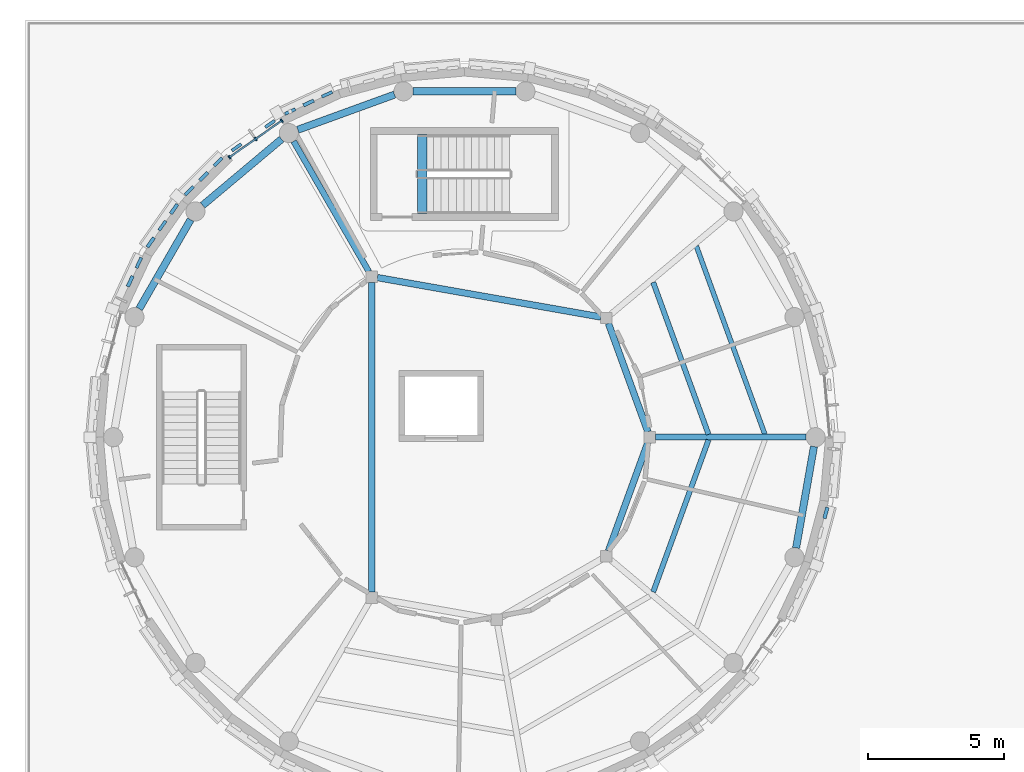
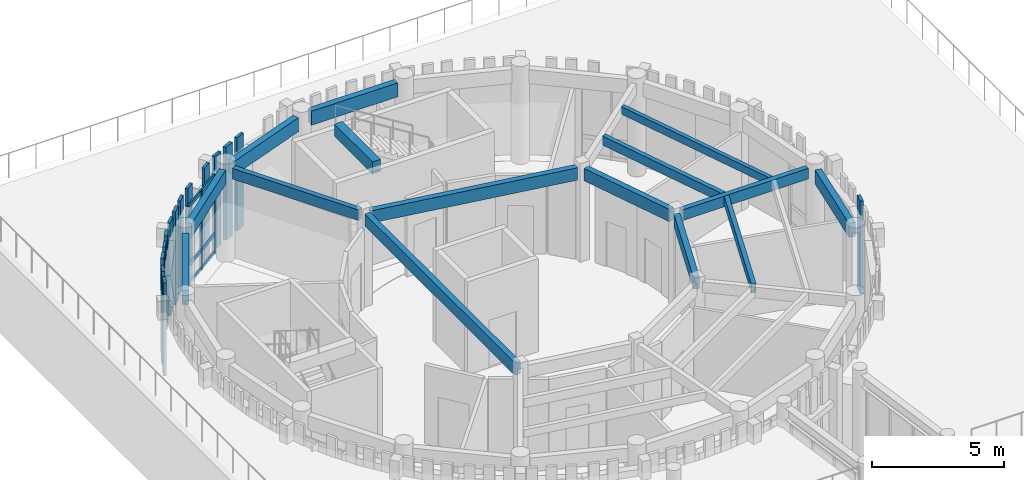
# One storey, part 22 of 94: 20 members, 15 beams, 1 element without a shape of its own.
"""IFC4 building model written with IfcOpenShell, lengths in metres."""

from ifc_helpers import new_model, si_unit, direction, frame, origin, origin_2d, place, context, subcontext, project, spatial, rectangle, extrude, material, layer, layer_set, material_profile, profile_set, type_object, element, aggregate, save


model = new_model("IFC4")

# Units and contexts
model_context = context("Model", 3, precision=1e-05, world=origin(), true_north=direction((0.0, 1.0)))
body_context = subcontext(model_context, "Body", "Model", "MODEL_VIEW")
ifc_project = project(units=[si_unit("LENGTHUNIT", "METRE"), si_unit("AREAUNIT", "SQUARE_METRE"), si_unit("VOLUMEUNIT", "CUBIC_METRE"), si_unit("PLANEANGLEUNIT", "RADIAN"), si_unit("MASSUNIT", "GRAM", prefix="KILO")], contexts=[model_context])

# Site, building, storey
site_placement = place(None, origin())
site = spatial("IfcSite", under=ifc_project, at=site_placement, CompositionType="ELEMENT")
building_placement = place(site_placement, origin())
building = spatial("IfcBuilding", under=site, at=building_placement, Name="Aldenvaro Health Centre", CompositionType="ELEMENT")
storey_placement = place(building_placement, origin())
storey = spatial("IfcBuildingStorey", under=building, at=storey_placement, Name="L00", CompositionType="ELEMENT", Elevation=0.0)

# Beams
ifc_material_1 = material(Name="Glulam GL28h", Category="wood")
ifc_material_profile_1 = material_profile(ifc_material_1, rectangle(XDim=0.175048828125, YDim=0.35009765625, at=origin_2d()), Name="GL 175x350", Category="wood")
ifc_profile_set_1 = profile_set([ifc_material_profile_1], Name="Glulam GL28h")
beam_type_1 = type_object("IfcBeamType", Name="BM-GL-350", PredefinedType="JOIST", material=ifc_profile_set_1)
beam_1_placement = place(storey_placement, frame((29.51904296875, 99.60107421875, 4.1298828125), z_axis=(-0.341985813082, 0.939705115263, 0.0), x_axis=(-0.939705115263, -0.341985813082, 0.0)))
element("IfcBeam", 1, at=beam_1_placement, inside=storey, type_object=beam_type_1, Name="D4 L00 secondary joist 01.2", PredefinedType="JOIST", context=body_context, shape_type="SweptSolid", body=[
    extrude(rectangle(XDim=0.175048828125, YDim=0.35009765625, at=origin_2d()), origin(), (0.0, 0.0, 1.0), 7.34814453125),
])
ifc_material_profile_2 = material_profile(ifc_material_1, rectangle(XDim=0.18994140625, YDim=0.41796875, at=origin_2d()), Name="GL 190x418", Category="wood")
ifc_profile_set_2 = profile_set([ifc_material_profile_2], Name="Glulam GL28h")
beam_type_2 = type_object("IfcBeamType", Name="BM-GL-418", PredefinedType="JOIST", material=ifc_profile_set_2)
for number, where, z_axis, x_axis, name in (
    (2, (27.451904296875, 99.60107421875, 4.095947265625), (-0.341921455433, 0.939728534373, 0.0), (-0.939728534373, -0.341921455433, 0.0), "D4 L00 secondary joist 01.1"),
    (3, (25.423095703125, 93.822998046875, 4.095947265625), (0.341921455433, 0.939728534373, 0.0), (-0.939728534373, 0.341921455433, 0.0), "D4 L00 secondary joist 06.1"),
):
    element("IfcBeam", number, at=place(storey_placement, frame(where, z_axis=z_axis, x_axis=x_axis)), inside=storey, type_object=beam_type_2, Name=name, PredefinedType="JOIST", context=body_context, shape_type="SweptSolid", body=[
        extrude(rectangle(XDim=0.18994140625, YDim=0.41796875, at=origin_2d()), origin(), (0.0, 0.0, 1.0), 5.93359375),
    ])
ifc_material_profile_3 = material_profile(ifc_material_1, rectangle(XDim=0.215087890625, YDim=0.493896484375, at=origin_2d()), Name="GL 215x494", Category="wood")
ifc_profile_set_3 = profile_set([ifc_material_profile_3], Name="Glulam GL28h")
beam_type_3 = type_object("IfcBeamType", Name="BM-GL-494", PredefinedType="BEAM", material=ifc_profile_set_3)
beam_2_placement = place(storey_placement, frame((25.510009765625, 99.5, 4.05810546875), z_axis=(1.0, 0.0, 0.0), x_axis=(0.0, 1.0, 0.0)))
element("IfcBeam", 4, at=beam_2_placement, inside=storey, type_object=beam_type_3, Name="D4 L00 radial beam 01", PredefinedType="BEAM", context=body_context, shape_type="SweptSolid", body=[
    extrude(rectangle(XDim=0.215087890625, YDim=0.493896484375, at=origin_2d()), origin(), (0.0, 0.0, 1.0), 5.52001953125),
])
beam_3_placement = place(storey_placement, frame((14.9951171875, 105.571044921875, 4.05810546875), z_axis=(-0.500035132957, 0.866005118812, 0.0), x_axis=(-0.866005118812, -0.500035132957, 0.0)))
element("IfcBeam", 5, at=beam_3_placement, inside=storey, type_object=beam_type_3, Name="D4 L00 radial beam 03", PredefinedType="BEAM", context=body_context, shape_type="SweptSolid", body=[
    extrude(rectangle(XDim=0.215087890625, YDim=0.493896484375, at=origin_2d()), origin(), (0.0, 0.0, 1.0), 5.51953125),
])
ifc_material_profile_4 = material_profile(ifc_material_1, rectangle(XDim=0.239990234375, YDim=0.570068359375, at=origin_2d()), Name="GL 240x570", Category="wood")
ifc_profile_set_4 = profile_set([ifc_material_profile_4], Name="Glulam GL28h")
beam_type_4 = type_object("IfcBeamType", Name="BM-GL-570", PredefinedType="BEAM", material=ifc_profile_set_4)
beam_4_placement = place(storey_placement, frame((25.22802734375, 99.697021484375, 4.02001953125), z_axis=(-0.34191443591, 0.939731088406, 0.0), x_axis=(-0.939731088406, -0.34191443591, 0.0)))
element("IfcBeam", 6, at=beam_4_placement, inside=storey, type_object=beam_type_4, Name="D4 L00 inner ring beam 01", PredefinedType="BEAM", context=body_context, shape_type="SweptSolid", body=[
    extrude(rectangle(XDim=0.239990234375, YDim=0.570068359375, at=origin_2d()), origin(), (0.0, 0.0, 1.0), 4.232177734375),
])
beam_5_placement = place(storey_placement, frame((23.501953125, 103.906982421875, 4.02001953125), z_axis=(-0.984786512159, 0.173768597477, 0.0), x_axis=(-0.173768597477, -0.984786512159, 0.0)))
element("IfcBeam", 7, at=beam_5_placement, inside=storey, type_object=beam_type_4, Name="D4 L00 inner ring beam 02", PredefinedType="BEAM", context=body_context, shape_type="SweptSolid", body=[
    extrude(rectangle(XDim=0.239990234375, YDim=0.570068359375, at=origin_2d()), origin(), (0.0, 0.0, 1.0), 8.32177734375),
])
beam_6_placement = place(storey_placement, frame((15.10009765625, 105.178955078125, 4.02001953125), z_axis=(0.0, -1.0, 0.0), x_axis=(1.0, 0.0, 0.0)))
element("IfcBeam", 8, at=beam_6_placement, inside=storey, type_object=beam_type_4, Name="D4 L00 inner ring beam 03", PredefinedType="BEAM", context=body_context, shape_type="SweptSolid", body=[
    extrude(rectangle(XDim=0.239990234375, YDim=0.570068359375, at=origin_2d()), origin(), (0.0, 0.0, 1.0), 11.35791015625),
])
beam_7_placement = place(storey_placement, frame((23.781005859375, 95.325927734375, 4.02001953125), z_axis=(0.34191443591, 0.939731088406, 0.0), x_axis=(-0.939731088406, 0.34191443591, 0.0)))
element("IfcBeam", 9, at=beam_7_placement, inside=storey, type_object=beam_type_4, Name="D4 L00 inner ring beam 06", PredefinedType="BEAM", context=body_context, shape_type="SweptSolid", body=[
    extrude(rectangle(XDim=0.239990234375, YDim=0.570068359375, at=origin_2d()), origin(), (0.0, 0.0, 1.0), 4.232177734375),
])
ifc_material_profile_5 = material_profile(ifc_material_1, rectangle(XDim=0.264892578125, YDim=0.64599609375, at=origin_2d()), Name="GL 265x646", Category="wood")
ifc_profile_set_5 = profile_set([ifc_material_profile_5], Name="Glulam GL28h")
beam_type_5 = type_object("IfcBeamType", Name="BM-GL-646", PredefinedType="SPANDREL", material=ifc_profile_set_5)
beam_8_placement = place(storey_placement, frame((20.386962890625, 112.18408203125, 3.98193359375), z_axis=(-1.0, 0.0, 0.0), x_axis=(0.0, -1.0, 0.0)))
element("IfcBeam", 10, at=beam_8_placement, inside=storey, type_object=beam_type_5, Name="D4 L00 perimeter spandrel 05", PredefinedType="SPANDREL", context=body_context, shape_type="SweptSolid", body=[
    extrude(rectangle(XDim=0.264892578125, YDim=0.64599609375, at=origin_2d()), origin(), (0.0, 0.0, 1.0), 3.77392578125),
])
beam_9_placement = place(storey_placement, frame((15.93408203125, 112.06396484375, 3.98193359375), z_axis=(-0.939717821643, -0.341950896602, 0.0), x_axis=(0.341950896602, -0.939717821643, 0.0)))
element("IfcBeam", 11, at=beam_9_placement, inside=storey, type_object=beam_type_5, Name="D4 L00 perimeter spandrel 06", PredefinedType="SPANDREL", context=body_context, shape_type="SweptSolid", body=[
    extrude(rectangle(XDim=0.264892578125, YDim=0.64599609375, at=origin_2d()), origin(), (0.0, 0.0, 1.0), 3.772705078125),
])
beam_10_placement = place(storey_placement, frame((11.7919921875, 110.428955078125, 3.98193359375), z_axis=(-0.766159686965, -0.64265024241, 0.0), x_axis=(0.64265024241, -0.766159686965, 0.0)))
element("IfcBeam", 12, at=beam_10_placement, inside=storey, type_object=beam_type_5, Name="D4 L00 perimeter spandrel 07", PredefinedType="SPANDREL", context=body_context, shape_type="SweptSolid", body=[
    extrude(rectangle(XDim=0.264892578125, YDim=0.64599609375, at=origin_2d()), origin(), (0.0, 0.0, 1.0), 3.7734375),
])
beam_11_placement = place(storey_placement, frame((8.4580078125, 107.47607421875, 3.98193359375), z_axis=(-0.499834477554, -0.866120947125, 0.0), x_axis=(0.866120947125, -0.499834477554, 0.0)))
element("IfcBeam", 13, at=beam_11_placement, inside=storey, type_object=beam_type_5, Name="D4 L00 perimeter spandrel 08", PredefinedType="SPANDREL", context=body_context, shape_type="SweptSolid", body=[
    extrude(rectangle(XDim=0.264892578125, YDim=0.64599609375, at=origin_2d()), origin(), (0.0, 0.0, 1.0), 3.773193359375),
])
beam_12_placement = place(storey_placement, frame((30.6640625, 95.43994140625, 3.98193359375), z_axis=(0.173637653927, 0.984809608574, 0.0), x_axis=(-0.984809608574, 0.173637653927, 0.0)))
element("IfcBeam", 14, at=beam_12_placement, inside=storey, type_object=beam_type_5, Name="D4 L00 perimeter spandrel 18", PredefinedType="SPANDREL", context=body_context, shape_type="SweptSolid", body=[
    extrude(rectangle(XDim=0.264892578125, YDim=0.64599609375, at=origin_2d()), origin(), (0.0, 0.0, 1.0), 3.7724609375),
])
ifc_material_2 = material(Name="Concrete f'c 40 MPa", Category="concrete")
ifc_material_profile_6 = material_profile(ifc_material_2, rectangle(XDim=0.35009765625, YDim=0.56005859375, at=origin_2d()), Name="RC 350x560", Category="concrete")
ifc_profile_set_6 = profile_set([ifc_material_profile_6], Name="Concrete f'c 40 MPa")
beam_type_6 = type_object("IfcBeamType", Name="BM-RC-560", PredefinedType="JOIST", material=ifc_profile_set_6)
beam_13_placement = place(storey_placement, frame((16.949951171875, 107.699951171875, 4.27001953125), z_axis=(0.0, 1.0, 0.0), x_axis=(-1.0, 0.0, 0.0)))
element("IfcBeam", 15, at=beam_13_placement, inside=storey, type_object=beam_type_6, Name="ST-07 L01 stair landing trimmer beam", PredefinedType="JOIST", context=body_context, shape_type="SweptSolid", body=[
    extrude(rectangle(XDim=0.35009765625, YDim=0.56005859375, at=origin_2d()), origin(), (0.0, 0.0, 1.0), 2.900146484375),
])

# Curtain wall, members
ifc_material_3 = material(Name="Anodised Aluminium 6063-T6", Category="aluminium")
ifc_layer = layer(ifc_material_3, 0.195068359375, Name="Anodised Aluminium 6063-T6", Category="aluminium")
ifc_layer_set = layer_set([ifc_layer], Name="Anodised Aluminium 6063-T6")
curtain_wall_type = type_object("IfcCurtainWallType", Name="CW-CLN-02", PredefinedType="NOTDEFINED", material=ifc_layer_set)
curtain_wall_placement = place(storey_placement, origin())
curtain_wall = element("IfcCurtainWall", 16, at=curtain_wall_placement, inside=storey, type_object=curtain_wall_type, Name="D4 L00 curtain wall bay 24", PredefinedType="NOTDEFINED")
ifc_material_profile_7 = material_profile(ifc_material_3, rectangle(XDim=0.06005859375, YDim=0.135009765625, at=origin_2d()), Name="ALU 60x135", Category="aluminium")
ifc_profile_set_7 = profile_set([ifc_material_profile_7], Name="Anodised Aluminium 6063-T6")
member_type_1 = type_object("IfcMemberType", Name="CWM-150", PredefinedType="MULLION", material=ifc_profile_set_7)
member_1_placement = place(storey_placement, frame((9.886962890625, 109.764892578125, 0.0), z_axis=(0.0, 0.0, 1.0), x_axis=(0.819050849853, 0.573720929857, 0.0)))
member_1 = element("IfcMember", 17, at=member_1_placement, type_object=member_type_1, Name="D4 L00 curtain wall bay 24 mullion 1", PredefinedType="MULLION", context=body_context, shape_type="SweptSolid", body=[
    extrude(rectangle(XDim=0.06005859375, YDim=0.135009765625, at=origin_2d()), origin(), (0.0, 0.0, 1.0), 3.658935546875),
])
member_2_placement = place(storey_placement, frame((10.843994140625, 110.43505859375, 0.0), z_axis=(0.0, 0.0, 1.0), x_axis=(0.819050849853, 0.573720929857, 0.0)))
member_2 = element("IfcMember", 18, at=member_2_placement, type_object=member_type_1, Name="D4 L00 curtain wall bay 24 mullion 2", PredefinedType="MULLION", context=body_context, shape_type="SweptSolid", body=[
    extrude(rectangle(XDim=0.06005859375, YDim=0.135009765625, at=origin_2d()), origin(), (0.0, 0.0, 1.0), 3.658935546875),
])
member_3_placement = place(storey_placement, frame((11.800048828125, 111.10498046875, 0.0), z_axis=(0.0, 0.0, 1.0), x_axis=(0.819050849853, 0.573720929857, 0.0)))
member_3 = element("IfcMember", 19, at=member_3_placement, type_object=member_type_1, Name="D4 L00 curtain wall bay 24 mullion 3", PredefinedType="MULLION", context=body_context, shape_type="SweptSolid", body=[
    extrude(rectangle(XDim=0.06005859375, YDim=0.135009765625, at=origin_2d()), origin(), (0.0, 0.0, 1.0), 3.658935546875),
])
ifc_material_profile_8 = material_profile(ifc_material_3, rectangle(XDim=0.06494140625, YDim=0.179931640625, at=origin_2d()), Name="ALU 65x180", Category="aluminium")
ifc_profile_set_8 = profile_set([ifc_material_profile_8], Name="Anodised Aluminium 6063-T6")
member_type_2 = type_object("IfcMemberType", Name="CWT-150", PredefinedType="USERDEFINED", material=ifc_profile_set_8)
member_4_placement = place(storey_placement, frame((9.886962890625, 109.764892578125, 0.06005859375), z_axis=(0.819045278347, 0.573728883722, 0.0), x_axis=(-0.573728883722, 0.819045278347, 0.0)))
member_4 = element("IfcMember", 20, at=member_4_placement, type_object=member_type_2, Name="D4 L00 curtain wall bay 24 transom 1", ObjectType="TRANSOM", PredefinedType="USERDEFINED", context=body_context, shape_type="SweptSolid", body=[
    extrude(rectangle(XDim=0.06494140625, YDim=0.179931640625, at=origin_2d()), origin(), (0.0, 0.0, 1.0), 2.335693359375),
])
member_5_placement = place(storey_placement, frame((9.886962890625, 109.764892578125, 0.89990234375), z_axis=(0.819045278347, 0.573728883722, 0.0), x_axis=(-0.573728883722, 0.819045278347, 0.0)))
member_5 = element("IfcMember", 21, at=member_5_placement, type_object=member_type_2, Name="D4 L00 curtain wall bay 24 transom 2", ObjectType="TRANSOM", PredefinedType="USERDEFINED", context=body_context, shape_type="SweptSolid", body=[
    extrude(rectangle(XDim=0.06494140625, YDim=0.179931640625, at=origin_2d()), origin(), (0.0, 0.0, 1.0), 2.335693359375),
])
member_6_placement = place(storey_placement, frame((9.886962890625, 109.764892578125, 3.59912109375), z_axis=(0.819045278347, 0.573728883722, 0.0), x_axis=(-0.573728883722, 0.819045278347, 0.0)))
member_6 = element("IfcMember", 22, at=member_6_placement, type_object=member_type_2, Name="D4 L00 curtain wall bay 24 transom 3", ObjectType="TRANSOM", PredefinedType="USERDEFINED", context=body_context, shape_type="SweptSolid", body=[
    extrude(rectangle(XDim=0.06494140625, YDim=0.179931640625, at=origin_2d()), origin(), (0.0, 0.0, 1.0), 2.335693359375),
])
aggregate(curtain_wall, [member_1, member_2, member_3, member_4, member_5, member_6])

# Members
ifc_material_profile_9 = material_profile(ifc_material_1, rectangle(XDim=0.114990234375, YDim=0.419921875, at=origin_2d()), Name="GL 115x420", Category="wood")
ifc_profile_set_9 = profile_set([ifc_material_profile_9], Name="Glulam GL28h")
member_type_3 = type_object("IfcMemberType", Name="MEM-SLT-420A", PredefinedType="POST", material=ifc_profile_set_9)
for number, where, z_axis, x_axis, name in (
    (23, (6.55908203125, 105.89306640625, 0.0), (0.0, 0.0, 1.0), (-0.90633620484, 0.422557314215, 0.0), "D4 L00 vertical timber slat 21.3"),
    (24, (7.422119140625, 107.257080078125, 0.0), (0.0, 0.0, 1.0), (-0.819050849853, 0.573720929857, 0.0), "D4 L00 vertical timber slat 22.2"),
    (25, (8.407958984375, 108.533935546875, 0.0), (0.0, 0.0, 1.0), (-0.707106781187, 0.707106781187, 0.0), "D4 L00 vertical timber slat 23.1"),
    (26, (9.466064453125, 109.592041015625, 0.0), (0.0, 0.0, 1.0), (-0.707106781187, 0.707106781187, 0.0), "D4 L00 vertical timber slat 23.3"),
    (27, (10.14501953125, 110.12890625, 0.0), (0.0, 0.0, 1.0), (-0.573720929857, 0.819050849853, 0.0), "D4 L00 curtain mullion timber slat 24"),
    (28, (11.3701171875, 110.987060546875, 0.0), (0.0, 0.0, 1.0), (-0.573720929857, 0.819050849853, 0.0), "D4 L00 curtain mullion timber slat 24"),
    (29, (12.10693359375, 111.44091796875, 0.0), (0.0, 0.0, 1.0), (-0.422557314215, 0.90633620484, 0.0), "D4 L00 vertical timber slat 25.1"),
    (30, (13.4619140625, 112.072998046875, 0.0), (0.0, 0.0, 1.0), (-0.422557314215, 0.90633620484, 0.0), "D4 L00 vertical timber slat 25.3"),
):
    element("IfcMember", number, at=place(storey_placement, frame(where, z_axis=z_axis, x_axis=x_axis)), inside=storey, type_object=member_type_3, Name=name, PredefinedType="POST", context=body_context, shape_type="SweptSolid", body=[
        extrude(rectangle(XDim=0.114990234375, YDim=0.419921875, at=origin_2d()), origin(), (0.0, 0.0, 1.0), 4.304931640625),
    ])
ifc_material_profile_10 = material_profile(ifc_material_1, rectangle(XDim=0.1298828125, YDim=0.419921875, at=origin_2d()), Name="GL 130x420", Category="wood")
ifc_profile_set_10 = profile_set([ifc_material_profile_10], Name="Glulam GL28h")
member_type_4 = type_object("IfcMemberType", Name="MEM-SLT-420B", PredefinedType="POST", material=ifc_profile_set_10)
for number, where, z_axis, x_axis, name in (
    (31, (31.756103515625, 96.721923828125, 0.0), (0.0, 0.0, 1.0), (0.965978620089, -0.258621935517, 0.0), "D4 L00 vertical timber slat 2.1"),
    (32, (6.242919921875, 105.215087890625, 0.0), (0.0, 0.0, 1.0), (-0.90633620484, 0.422557314215, 0.0), "D4 L00 vertical timber slat 21.2"),
    (33, (6.992919921875, 106.64404296875, 0.0), (0.0, 0.0, 1.0), (-0.819050849853, 0.573720929857, 0.0), "D4 L00 vertical timber slat 22.1"),
    (34, (7.85107421875, 107.868896484375, 0.0), (0.0, 0.0, 1.0), (-0.819050849853, 0.573720929857, 0.0), "D4 L00 vertical timber slat 22.3"),
    (35, (8.93701171875, 109.06298828125, 0.0), (0.0, 0.0, 1.0), (-0.707106781187, 0.707106781187, 0.0), "D4 L00 vertical timber slat 23.2"),
    (36, (12.784912109375, 111.757080078125, 0.0), (0.0, 0.0, 1.0), (-0.422557314215, 0.90633620484, 0.0), "D4 L00 vertical timber slat 25.2"),
):
    element("IfcMember", number, at=place(storey_placement, frame(where, z_axis=z_axis, x_axis=x_axis)), inside=storey, type_object=member_type_4, Name=name, PredefinedType="POST", context=body_context, shape_type="SweptSolid", body=[
        extrude(rectangle(XDim=0.1298828125, YDim=0.419921875, at=origin_2d()), origin(), (0.0, 0.0, 1.0), 4.304931640625),
    ])

save(model, "model.ifc")
